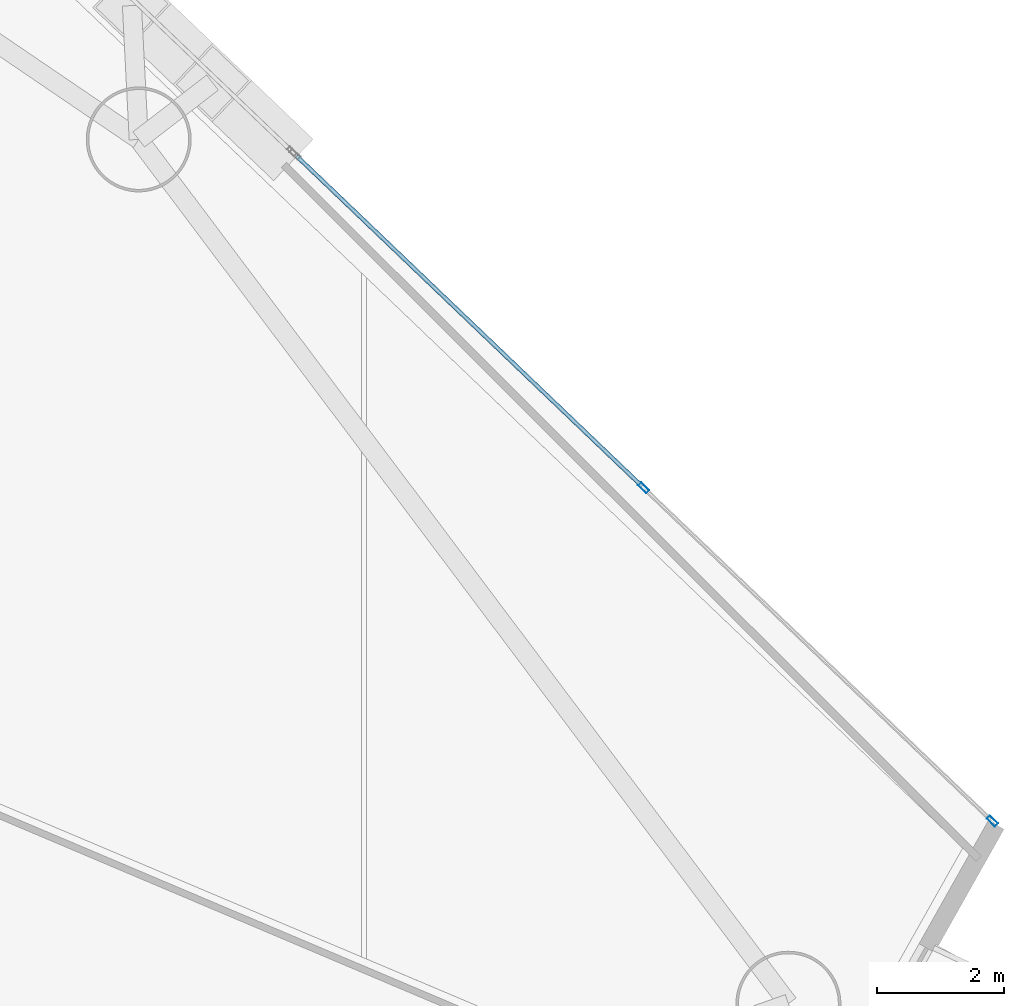
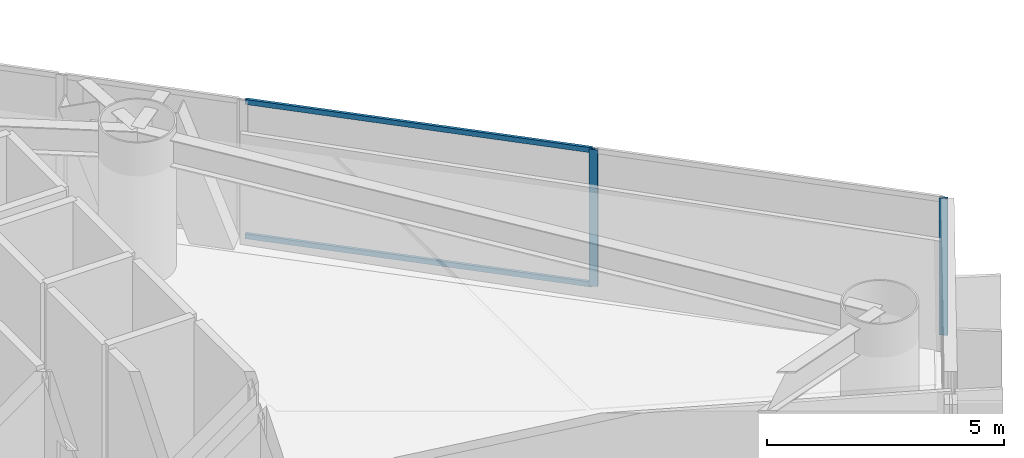
# One storey, part 15 of 23: 4 members, 1 element without a shape of its own.
"""IFC4 building model written with IfcOpenShell, lengths in metres."""

from ifc_helpers import new_model, si_unit, direction, frame, origin, origin_2d, place, context, subcontext, project, spatial, hollow_rectangle, extrude, material, layer, layer_set, material_profile, profile_set, type_object, element, aggregate, save


model = new_model("IFC4")

# Units and contexts
model_context = context("Model", 3, precision=1e-05, world=origin(), true_north=direction((0.0, 1.0)))
body_context = subcontext(model_context, "Body", "Model", "MODEL_VIEW")
ifc_project = project(units=[si_unit("LENGTHUNIT", "METRE"), si_unit("AREAUNIT", "SQUARE_METRE"), si_unit("VOLUMEUNIT", "CUBIC_METRE"), si_unit("PLANEANGLEUNIT", "RADIAN"), si_unit("MASSUNIT", "GRAM", prefix="KILO")], contexts=[model_context])

# Site, building, storey
site_placement = place(None, origin())
site = spatial("IfcSite", under=ifc_project, at=site_placement, CompositionType="ELEMENT")
building_placement = place(site_placement, origin())
building = spatial("IfcBuilding", under=site, at=building_placement, Name="Qianvela Tower", CompositionType="ELEMENT")
storey_placement = place(building_placement, frame((0.0, 0.0, 63.60009765625)))
storey = spatial("IfcBuildingStorey", under=building, at=storey_placement, Name="L15", CompositionType="ELEMENT", Elevation=63.60009765625)

# Curtain wall, members
ifc_material_1 = material(Name="Anodised Architectural Aluminium and Low-E Glass", Category="aluminium")
ifc_layer = layer(ifc_material_1, 0.179931640625)
ifc_layer_set = layer_set([ifc_layer], Name="Anodised Architectural Aluminium and Low-E Glass")
curtain_wall_type = type_object("IfcCurtainWallType", Name="CW-COLIV-Z12", PredefinedType="USERDEFINED", material=ifc_layer_set)
curtain_wall_placement = place(storey_placement, origin())
curtain_wall = element("IfcCurtainWall", 1, at=curtain_wall_placement, inside=storey, type_object=curtain_wall_type, Name="L15 CW-COLIV-Z12 Curtain Wall 02A", ObjectType="CURTAIN_WALL_SYSTEM", PredefinedType="USERDEFINED")
ifc_material_2 = material(Name="Anodised Architectural Aluminium 6063-T6", Category="aluminium")
ifc_material_profile_1 = material_profile(ifc_material_2, hollow_rectangle(XDim=0.070068359375, YDim=0.179931640625, WallThickness=0.0048828125, at=origin_2d()), Name="ALU-MULL-70x180")
ifc_profile_set_1 = profile_set([ifc_material_profile_1], Name="Anodised Architectural Aluminium 6063-T6")
member_type_1 = type_object("IfcMemberType", Name="CW-COLIV-Z12-MULL", PredefinedType="MULLION", material=ifc_profile_set_1)
member_1_placement = place(storey_placement, frame((59.4052734375, 23.338623046875, 0.0), z_axis=(0.0, 0.0, 1.0), x_axis=(-0.691042505625, -0.722814122316, 0.0)))
member_1 = element("IfcMember", 2, at=member_1_placement, type_object=member_type_1, Name="CW-3 mullion 1", PredefinedType="MULLION", context=body_context, shape_type="SweptSolid", body=[
    extrude(hollow_rectangle(XDim=0.070068359375, YDim=0.179931640625, WallThickness=0.0048828125, at=origin_2d()), origin(), (0.0, 0.0, 1.0), 3.52001953125),
])
member_2_placement = place(storey_placement, frame((53.9228515625, 28.580078125, 0.0), z_axis=(0.0, 0.0, 1.0), x_axis=(-0.691042505625, -0.722814122316, 0.0)))
member_2 = element("IfcMember", 3, at=member_2_placement, type_object=member_type_1, Name="CW-3 mullion 2", PredefinedType="MULLION", context=body_context, shape_type="SweptSolid", body=[
    extrude(hollow_rectangle(XDim=0.070068359375, YDim=0.179931640625, WallThickness=0.0048828125, at=origin_2d()), origin(), (0.0, 0.0, 1.0), 3.52001953125),
])
ifc_material_3 = material(Name="Anodised Architectural Aluminium 6063-T6", Category="aluminium")
ifc_material_profile_2 = material_profile(ifc_material_3, hollow_rectangle(XDim=0.06494140625, YDim=0.1298828125, WallThickness=0.00439453125, at=origin_2d()), Name="ALU-TRAN-65x130")
ifc_profile_set_2 = profile_set([ifc_material_profile_2], Name="Anodised Architectural Aluminium 6063-T6")
member_type_2 = type_object("IfcMemberType", Name="CW-COLIV-Z12-TRAN", PredefinedType="USERDEFINED", material=ifc_profile_set_2)
member_3_placement = place(storey_placement, frame((53.8974609375, 28.604248046875, 0.032470703125), z_axis=(-0.72279846787, 0.691058879434, 0.0), x_axis=(-0.691058879434, -0.72279846787, 0.0)))
member_3 = element("IfcMember", 4, at=member_3_placement, type_object=member_type_2, Name="CW-3 transom 2.1", ObjectType="TRANSOM", PredefinedType="USERDEFINED", context=body_context, shape_type="SweptSolid", body=[
    extrude(hollow_rectangle(XDim=0.06494140625, YDim=0.1298828125, WallThickness=0.00439453125, at=origin_2d()), origin(), (0.0, 0.0, 1.0), 7.51513671875),
])
member_4_placement = place(storey_placement, frame((53.8974609375, 28.604248046875, 3.4873046875), z_axis=(-0.72279846787, 0.691058879434, 0.0), x_axis=(-0.691058879434, -0.72279846787, 0.0)))
member_4 = element("IfcMember", 5, at=member_4_placement, type_object=member_type_2, Name="CW-3 transom 2.2", ObjectType="TRANSOM", PredefinedType="USERDEFINED", context=body_context, shape_type="SweptSolid", body=[
    extrude(hollow_rectangle(XDim=0.06494140625, YDim=0.1298828125, WallThickness=0.00439453125, at=origin_2d()), origin(), (0.0, 0.0, 1.0), 7.51513671875),
])
aggregate(curtain_wall, [member_1, member_2, member_3, member_4])

save(model, "model.ifc")
